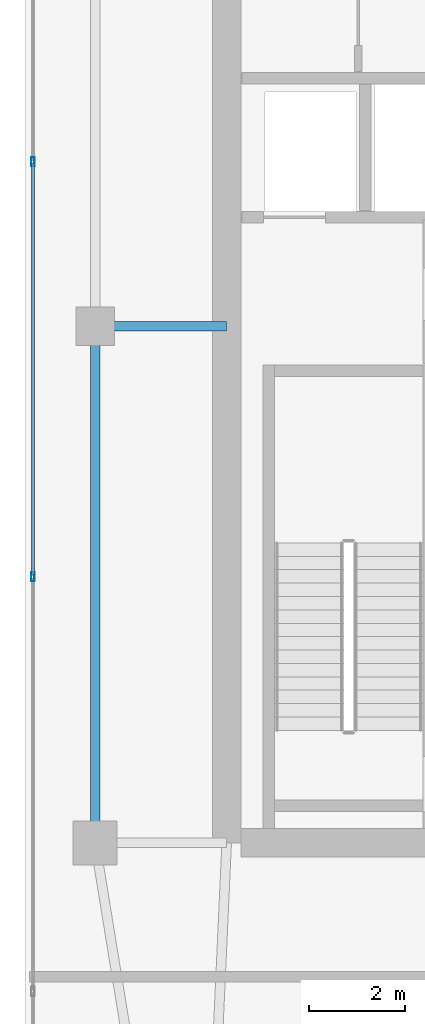
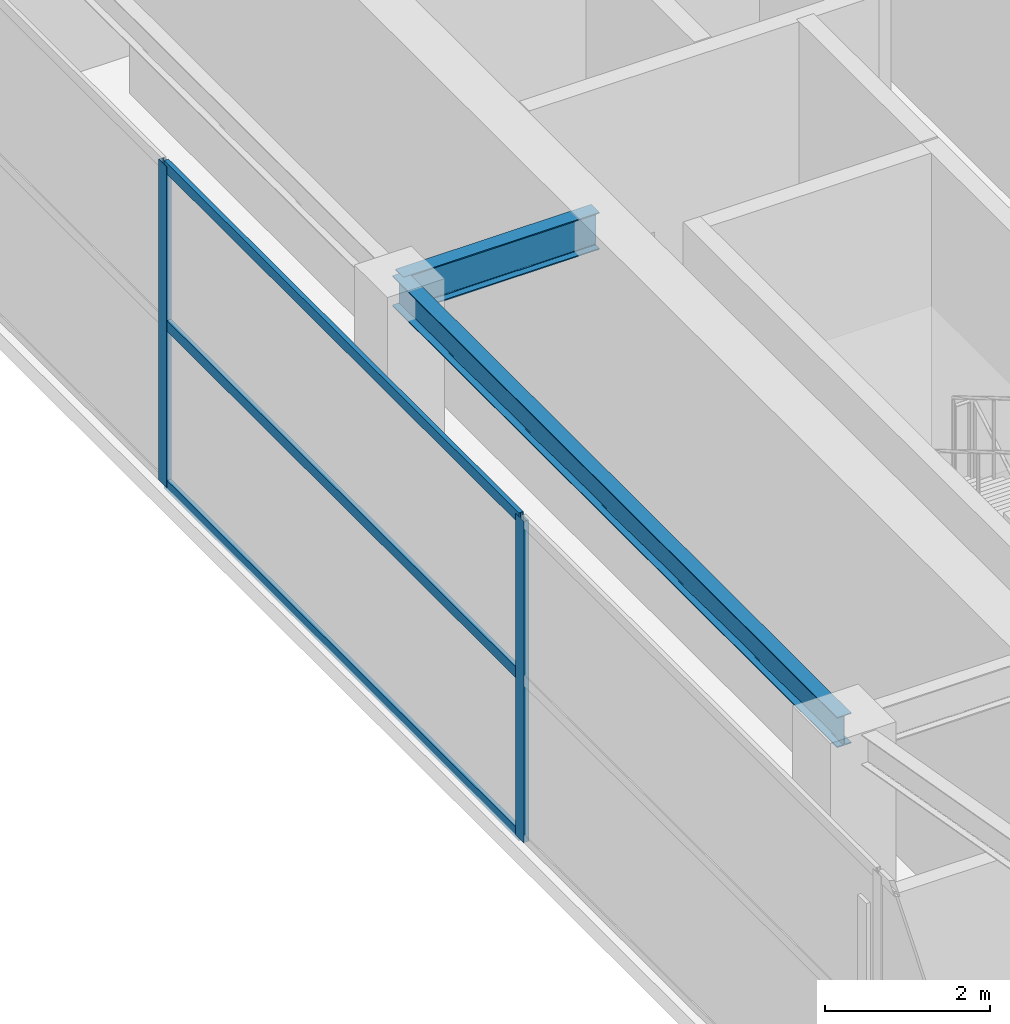
# One storey, part 9 of 20: 5 members, 2 beams, 1 element without a shape of its own.
"""IFC4 building model written with IfcOpenShell, lengths in metres."""

from ifc_helpers import new_model, si_unit, direction, frame, origin, origin_2d, place, context, subcontext, project, spatial, hollow_rectangle, i_section, extrude, material, layer, layer_set, material_profile, profile_set, type_object, element, aggregate, save


model = new_model("IFC4")

# Units and contexts
model_context = context("Model", 3, precision=1e-05, world=origin(), true_north=direction((0.0, 1.0)))
body_context = subcontext(model_context, "Body", "Model", "MODEL_VIEW")
ifc_project = project(units=[si_unit("LENGTHUNIT", "METRE"), si_unit("AREAUNIT", "SQUARE_METRE"), si_unit("VOLUMEUNIT", "CUBIC_METRE"), si_unit("PLANEANGLEUNIT", "RADIAN"), si_unit("MASSUNIT", "GRAM", prefix="KILO")], contexts=[model_context])

# Site, building, storey
site_placement = place(None, origin())
site = spatial("IfcSite", under=ifc_project, at=site_placement, CompositionType="ELEMENT")
building_placement = place(site_placement, origin())
building = spatial("IfcBuilding", under=site, at=building_placement, Name="Calvorn Quay Hotel", CompositionType="ELEMENT")
storey_placement = place(building_placement, frame((0.0, 0.0, 340.5)))
storey = spatial("IfcBuildingStorey", under=building, at=storey_placement, Name="L83", CompositionType="ELEMENT", Elevation=340.5)

# Beams
ifc_material_1 = material(Name="Steel Q355B", Category="steel")
ifc_material_profile_1 = material_profile(ifc_material_1, i_section(OverallWidth=0.199951171875, OverallDepth=0.550048828125, WebThickness=0.010009765625, FlangeThickness=0.01611328125, FilletRadius=0.01806640625, at=origin_2d()), Name="HN550x200x10x16")
ifc_profile_set_1 = profile_set([ifc_material_profile_1], Name="Steel Q355B")
beam_type_1 = type_object("IfcBeamType", Name="BM-GIRD-UPP", PredefinedType="BEAM", material=ifc_profile_set_1)
beam_1_placement = place(storey_placement, frame((1.449951171875, 27.60009765625, 4.465087890625), z_axis=(1.0, 0.0, 0.0), x_axis=(0.0, 1.0, 0.0)))
element("IfcBeam", 1, at=beam_1_placement, inside=storey, type_object=beam_type_1, Name="Beam BG-L83-W2", PredefinedType="BEAM", context=body_context, shape_type="SweptSolid", body=[
    extrude(i_section(OverallWidth=0.199951171875, OverallDepth=0.550048828125, WebThickness=0.010009765625, FlangeThickness=0.01611328125, FilletRadius=0.01806640625, at=origin_2d()), origin(), (0.0, 0.0, 1.0), 2.75),
])
ifc_material_2 = material(Name="Steel Q355B", Category="steel")
ifc_material_profile_2 = material_profile(ifc_material_2, i_section(OverallWidth=0.199951171875, OverallDepth=0.449951171875, WebThickness=0.009033203125, FlangeThickness=0.013916015625, FilletRadius=0.01611328125, at=origin_2d()), Name="HN450x200x9x14")
ifc_profile_set_2 = profile_set([ifc_material_profile_2], Name="Steel Q355B")
beam_type_2 = type_object("IfcBeamType", Name="BM-SPANDREL-Z3", PredefinedType="SPANDREL", material=ifc_profile_set_2)
beam_2_placement = place(storey_placement, frame((1.449951171875, 16.800048828125, 4.514892578125), z_axis=(0.0, 1.0, 0.0), x_axis=(-1.0, 0.0, 0.0)))
element("IfcBeam", 2, at=beam_2_placement, inside=storey, type_object=beam_type_2, Name="Beam BSP-L83-W2", PredefinedType="SPANDREL", context=body_context, shape_type="SweptSolid", body=[
    extrude(i_section(OverallWidth=0.199951171875, OverallDepth=0.449951171875, WebThickness=0.009033203125, FlangeThickness=0.013916015625, FilletRadius=0.01611328125, at=origin_2d()), origin(), (0.0, 0.0, 1.0), 10.800048828125),
])

# Curtain wall, members
ifc_material_3 = material(Name="Pale Anodised Aluminium and Laminated Glass", Category="aluminium")
ifc_layer = layer(ifc_material_3, 0.219970703125)
ifc_layer_set = layer_set([ifc_layer], Name="CW-SYS-CRN")
curtain_wall_type = type_object("IfcCurtainWallType", Name="CW-SYS-CRN", PredefinedType="NOTDEFINED", material=ifc_layer_set)
curtain_wall_placement = place(storey_placement, origin())
curtain_wall = element("IfcCurtainWall", 3, at=curtain_wall_placement, inside=storey, type_object=curtain_wall_type, Name="Crown Curtain Wall L83-C3", PredefinedType="NOTDEFINED")
ifc_material_4 = material(Name="Pale Anodised Aluminium 6063-T6", Category="aluminium")
ifc_material_profile_3 = material_profile(ifc_material_4, hollow_rectangle(XDim=0.072021484375, YDim=0.195068359375, WallThickness=0.00390625, at=origin_2d()), Name="ALU-M195x72x4")
ifc_profile_set_3 = profile_set([ifc_material_profile_3], Name="Pale Anodised Aluminium 6063-T6")
member_type_1 = type_object("IfcMemberType", Name="CW-SYS-CRN-MUL", PredefinedType="MULLION", material=ifc_profile_set_3)
member_1_placement = place(storey_placement, frame((0.14990234375, 31.035888671875, 0.0), z_axis=(0.0, 0.0, 1.0), x_axis=(1.0, 0.0, 0.0)))
member_1 = element("IfcMember", 4, at=member_1_placement, type_object=member_type_1, Name="CW-L83-C3 mullion 3", PredefinedType="MULLION", context=body_context, shape_type="SweptSolid", body=[
    extrude(hollow_rectangle(XDim=0.072021484375, YDim=0.195068359375, WallThickness=0.00390625, at=origin_2d()), origin(), (0.0, 0.0, 1.0), 4.760009765625),
])
member_2_placement = place(storey_placement, frame((0.14990234375, 22.364013671875, 0.0), z_axis=(0.0, 0.0, 1.0), x_axis=(1.0, 0.0, 0.0)))
member_2 = element("IfcMember", 5, at=member_2_placement, type_object=member_type_1, Name="CW-L83-C3 mullion 4", PredefinedType="MULLION", context=body_context, shape_type="SweptSolid", body=[
    extrude(hollow_rectangle(XDim=0.072021484375, YDim=0.195068359375, WallThickness=0.00390625, at=origin_2d()), origin(), (0.0, 0.0, 1.0), 4.760009765625),
])
ifc_material_5 = material(Name="Pale Anodised Aluminium 6063-T6", Category="aluminium")
ifc_material_profile_4 = material_profile(ifc_material_5, hollow_rectangle(XDim=0.06201171875, YDim=0.159912109375, WallThickness=0.00341796875, at=origin_2d()), Name="ALU-T160x62x3.5")
ifc_profile_set_4 = profile_set([ifc_material_profile_4], Name="Pale Anodised Aluminium 6063-T6")
member_type_2 = type_object("IfcMemberType", Name="CW-SYS-CRN-TRN", PredefinedType="USERDEFINED", material=ifc_profile_set_4)
member_3_placement = place(storey_placement, frame((0.14990234375, 31.006103515625, 0.030029296875), z_axis=(0.0, -1.0, 0.0), x_axis=(1.0, 0.0, 0.0)))
member_3 = element("IfcMember", 6, at=member_3_placement, type_object=member_type_2, Name="CW-L83-C3 transom 3.1", ObjectType="TRANSOM", PredefinedType="USERDEFINED", context=body_context, shape_type="SweptSolid", body=[
    extrude(hollow_rectangle(XDim=0.06201171875, YDim=0.159912109375, WallThickness=0.00341796875, at=origin_2d()), origin(), (0.0, 0.0, 1.0), 8.612060546875),
])
member_4_placement = place(storey_placement, frame((0.14990234375, 31.006103515625, 2.39990234375), z_axis=(0.0, -1.0, 0.0), x_axis=(1.0, 0.0, 0.0)))
member_4 = element("IfcMember", 7, at=member_4_placement, type_object=member_type_2, Name="CW-L83-C3 transom 3.2", ObjectType="TRANSOM", PredefinedType="USERDEFINED", context=body_context, shape_type="SweptSolid", body=[
    extrude(hollow_rectangle(XDim=0.06201171875, YDim=0.159912109375, WallThickness=0.00341796875, at=origin_2d()), origin(), (0.0, 0.0, 1.0), 8.612060546875),
])
member_5_placement = place(storey_placement, frame((0.14990234375, 31.006103515625, 4.72998046875), z_axis=(0.0, -1.0, 0.0), x_axis=(1.0, 0.0, 0.0)))
member_5 = element("IfcMember", 8, at=member_5_placement, type_object=member_type_2, Name="CW-L83-C3 transom 3.3", ObjectType="TRANSOM", PredefinedType="USERDEFINED", context=body_context, shape_type="SweptSolid", body=[
    extrude(hollow_rectangle(XDim=0.06201171875, YDim=0.159912109375, WallThickness=0.00341796875, at=origin_2d()), origin(), (0.0, 0.0, 1.0), 8.612060546875),
])
aggregate(curtain_wall, [member_1, member_2, member_3, member_4, member_5])

save(model, "model.ifc")
